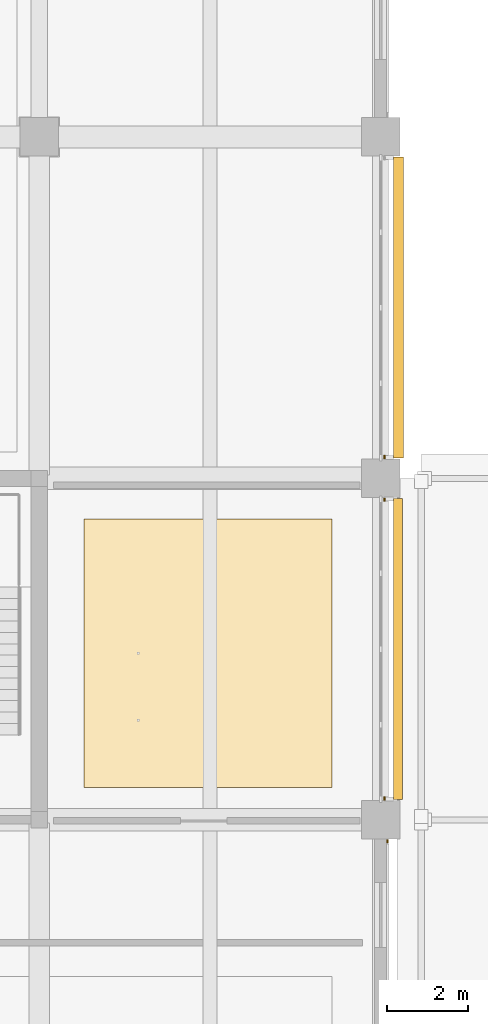
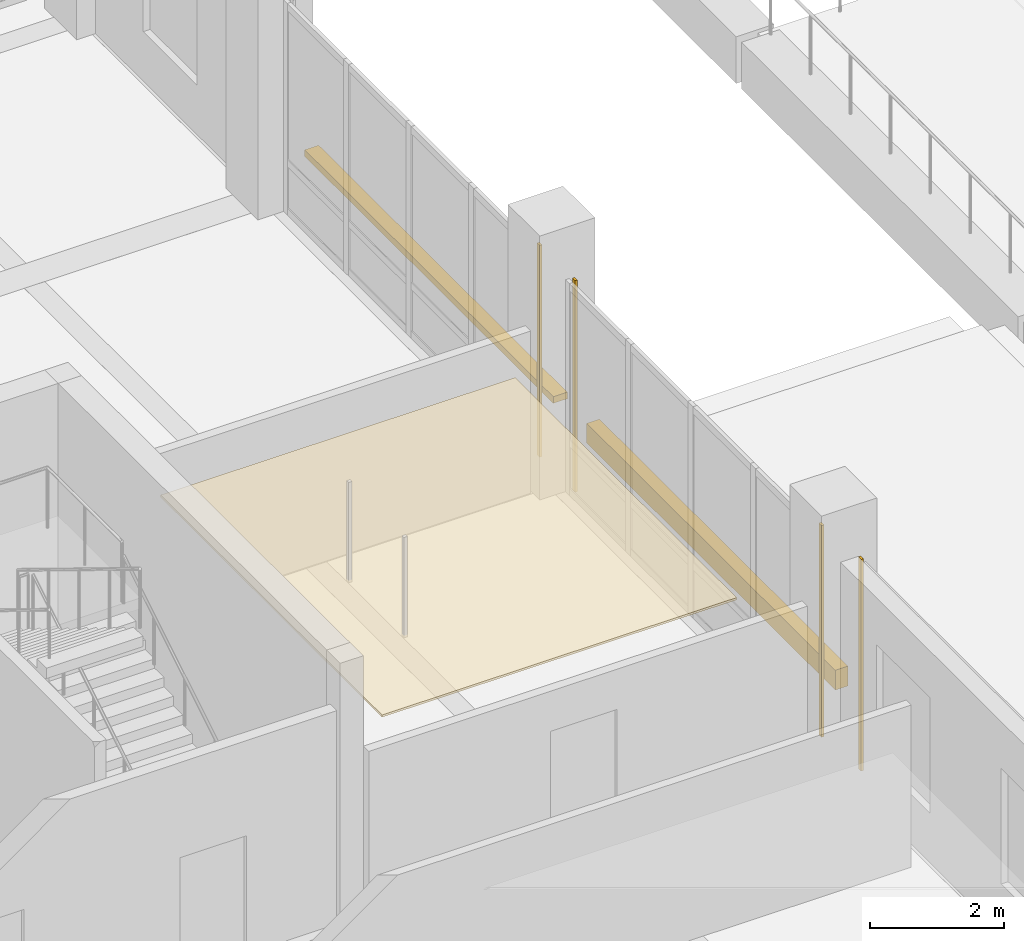
# One storey, part 112 of 128: 5 coverings, 2 shading devices.
"""IFC4 building model written with IfcOpenShell, lengths in metres."""

import ifcopenshell
import ifcopenshell.guid

model = None  # the IFC model being written
_history = None  # IfcOwnerHistory: only IFC2X3 demands one
_inside = {}  # id of a spatial element -> (the spatial element, [elements in it])
_under = {}  # id of a project, library or spatial element -> (it, [spatial elements below it])
_declared = {}  # id of a project -> (the project, [libraries it declares])
_typed = {}  # id of a type object -> (the type object, [elements of that type])
_made_of = {}  # id of a material, layer set ... -> (it, [elements and type objects made of it])


def new_model(schema):
    """Start an empty IFC model of exactly this schema.

    Asked for "IFC4X3", IfcOpenShell would pick the latest addendum, in which some entities
    have other attributes; the version numbers below select the first issue.
    IFC2X3 requires an IfcOwnerHistory on every rooted entity: one is made here for all.
    """
    global model, _history
    if schema == "IFC4X3":
        model = ifcopenshell.file(schema_version=(4, 3, 0, 0))
    else:
        model = ifcopenshell.file(schema=schema)
    _inside.clear()
    _under.clear()
    _declared.clear()
    _typed.clear()
    _made_of.clear()
    _history = None
    if model.schema == "IFC2X3":
        org = make("IfcOrganization", Name="unknown")
        user = make(
            "IfcPersonAndOrganization",
            ThePerson=make("IfcPerson", FamilyName="unknown"),
            TheOrganization=org,
        )
        app = make(
            "IfcApplication",
            ApplicationDeveloper=org,
            Version="unknown",
            ApplicationFullName="unknown",
            ApplicationIdentifier="unknown",
        )
        _history = make(
            "IfcOwnerHistory",
            OwningUser=user,
            OwningApplication=app,
            ChangeAction="ADDED",
            CreationDate=0,
        )
    return model


def make(cls, **values):
    """One entity of the class cls with the attributes given. An attribute that is None is left unset."""
    return model.create_entity(
        cls, **{name: value for name, value in values.items() if value is not None}
    )


def rooted(cls, **values):
    """An entity with a GlobalId (a new one), such as an element, a storey or a relation."""
    return make(cls, GlobalId=ifcopenshell.guid.new(), OwnerHistory=_history, **values)


def si_unit(unit_type, name, prefix=None):
    """IfcSIUnit, for example si_unit("LENGTHUNIT", "METRE", prefix="MILLI")."""
    return make("IfcSIUnit", UnitType=unit_type, Prefix=prefix, Name=name)


def assignment(units):
    """IfcUnitAssignment: the units of a project."""
    return None if units is None else make("IfcUnitAssignment", Units=units)


def point(xyz):
    """IfcCartesianPoint."""
    return None if xyz is None else make("IfcCartesianPoint", Coordinates=xyz)


def direction(xyz):
    """IfcDirection."""
    return None if xyz is None else make("IfcDirection", DirectionRatios=xyz)


def frame(location, z_axis=None, x_axis=None):
    """IfcAxis2Placement3D, a coordinate frame: its origin and axes. An axis left out is left unset."""
    return make(
        "IfcAxis2Placement3D",
        Location=point(location),
        Axis=direction(z_axis),
        RefDirection=direction(x_axis),
    )


def frame_2d(location, x_axis=None):
    """IfcAxis2Placement2D, a coordinate frame in the plane: its origin and x axis."""
    return make(
        "IfcAxis2Placement2D", Location=point(location), RefDirection=direction(x_axis)
    )


def origin():
    """The frame at (0, 0, 0) with its axes left unset."""
    return frame((0.0, 0.0, 0.0))


def origin_2d():
    """The frame at (0, 0) in the plane with its x axis left unset."""
    return frame_2d((0.0, 0.0))


def place(relative_to, where):
    """IfcLocalPlacement: puts the frame where relative to a parent placement (None: the world)."""
    return make(
        "IfcLocalPlacement", PlacementRelTo=relative_to, RelativePlacement=where
    )


def context(
    kind, dimensions, precision=None, world=None, true_north=None, identifier=None
):
    """IfcGeometricRepresentationContext, for example the 3D "Model" context."""
    return make(
        "IfcGeometricRepresentationContext",
        ContextIdentifier=identifier,
        ContextType=kind,
        CoordinateSpaceDimension=dimensions,
        Precision=precision,
        WorldCoordinateSystem=world,
        TrueNorth=true_north,
    )


def subcontext(parent, identifier, kind, view, scale=None):
    """IfcGeometricRepresentationSubContext, for example "Body" below "Model"."""
    return make(
        "IfcGeometricRepresentationSubContext",
        ContextIdentifier=identifier,
        ContextType=kind,
        ParentContext=parent,
        TargetScale=scale,
        TargetView=view,
    )


def project(units=None, contexts=None):
    """IfcProject with its units and contexts."""
    return rooted(
        "IfcProject",
        Name="project",
        RepresentationContexts=contexts,
        UnitsInContext=assignment(units),
    )


def spatial(cls, under=None, at=None, **own):
    """A site, building, storey or space (cls), placed at a placement, below another one or the project."""
    s = rooted(cls, ObjectPlacement=at, **own)
    if under is not None:
        _under.setdefault(under.id(), (under, []))[1].append(s)
    return s


def polyline(points):
    """IfcPolyline through the points."""
    return make("IfcPolyline", Points=[point(p) for p in points])


def profile(cls, at=None, kind="AREA", **sizes):
    """A parametric profile (cls). Its sizes go by their IFC names, for example OverallWidth=200.0."""
    return make(cls, ProfileType=kind, Position=at, **sizes)


def rectangle(**sizes):
    """IfcRectangleProfileDef."""
    return profile("IfcRectangleProfileDef", **sizes)


def outline(outer, holes=None, kind="AREA"):
    """IfcArbitraryClosedProfileDef: a profile drawn as a closed curve; with holes, ...WithVoids."""
    if holes is None:
        return make("IfcArbitraryClosedProfileDef", ProfileType=kind, OuterCurve=outer)
    return make(
        "IfcArbitraryProfileDefWithVoids",
        ProfileType=kind,
        OuterCurve=outer,
        InnerCurves=holes,
    )


def extrude(swept, where, along, depth):
    """IfcExtrudedAreaSolid: the profile swept, set in the frame where, extruded along a direction by depth."""
    return make(
        "IfcExtrudedAreaSolid",
        SweptArea=swept,
        Position=where,
        ExtrudedDirection=direction(along),
        Depth=depth,
    )


def shape(context_of_items, identifier, shape_type, items):
    """IfcShapeRepresentation: the items that make up one representation, for example the "Body"."""
    return make(
        "IfcShapeRepresentation",
        ContextOfItems=context_of_items,
        RepresentationIdentifier=identifier,
        RepresentationType=shape_type,
        Items=items,
    )


def material(Name=None, Category=None):
    """IfcMaterial."""
    return make("IfcMaterial", Name=Name, Category=Category)


def layer(
    of_material, thickness, ventilated=None, Name=None, Category=None, Priority=None
):
    """IfcMaterialLayer: one layer of a wall or slab, of a material (None: an air gap)."""
    return make(
        "IfcMaterialLayer",
        Material=of_material,
        LayerThickness=thickness,
        IsVentilated=ventilated,
        Name=Name,
        Category=Category,
        Priority=Priority,
    )


def layer_set(layers, Name=None):
    """IfcMaterialLayerSet."""
    return make("IfcMaterialLayerSet", MaterialLayers=layers, LayerSetName=Name)


def made_of(thing, what):
    """Note that an element or type object is made of a material, layer set ...; save() writes the relation."""
    if what is not None:
        _made_of.setdefault(what.id(), (what, []))[1].append(thing)
    return thing


def type_object(cls, material=None, **own):
    """A type object (cls), such as IfcWallType, which elements share."""
    return made_of(rooted(cls, **own), material)


def element(
    cls,
    number,
    at=None,
    inside=None,
    cuts=None,
    type_object=None,
    material=None,
    context=None,
    identifier="Body",
    shape_type=None,
    held_by="IfcProductDefinitionShape",
    body=None,
    shapes=None,
    **own,
):
    """One element of the class cls, such as IfcWall. Its Tag is "e" and its number.

    at: its placement. inside: the storey or other place that contains it. cuts: it is an
    opening in that element (IfcRelVoidsElement). A single representation is given by context,
    identifier, shape_type and body (its items); several are given by shapes. held_by: the class
    of the entity that holds the representations. save() writes the other relations.
    """
    e = rooted(cls, Tag="e%d" % number, ObjectPlacement=at, **own)
    if body is not None:
        shapes = [shape(context, identifier, shape_type, body)]
    if shapes is not None:
        e.Representation = make(held_by, Representations=shapes)
    if inside is not None:
        _inside.setdefault(inside.id(), (inside, []))[1].append(e)
    if cuts is not None:
        rooted(
            "IfcRelVoidsElement", RelatingBuildingElement=cuts, RelatedOpeningElement=e
        )
    if type_object is not None:
        _typed.setdefault(type_object.id(), (type_object, []))[1].append(e)
    return made_of(e, material)


def aggregate(whole, parts):
    """IfcRelAggregates: a whole, such as a stair, and the parts it consists of."""
    return rooted("IfcRelAggregates", RelatingObject=whole, RelatedObjects=parts)


def save(model, path):
    """Write the relations noted so far, then the file.

    IfcRelAggregates (storeys below a building ...), IfcRelContainedInSpatialStructure (elements
    in a storey), IfcRelDefinesByType, IfcRelAssociatesMaterial and IfcRelDeclares: one each for
    every whole, place, type object, material and project.
    """
    for whole, parts in _under.values():
        aggregate(whole, parts)
    for where, things in _inside.values():
        rooted(
            "IfcRelContainedInSpatialStructure",
            RelatedElements=things,
            RelatingStructure=where,
        )
    for kind, things in _typed.values():
        rooted("IfcRelDefinesByType", RelatedObjects=things, RelatingType=kind)
    for what, things in _made_of.values():
        rooted("IfcRelAssociatesMaterial", RelatedObjects=things, RelatingMaterial=what)
    for by, libraries in _declared.values():
        rooted("IfcRelDeclares", RelatingContext=by, RelatedDefinitions=libraries)
    model.write(path)


model = new_model("IFC4")

# Units and contexts
model_context = context("Model", 3, precision=1e-05, world=origin(), true_north=direction((0.0, 1.0)))
body_context = subcontext(model_context, "Body", "Model", "MODEL_VIEW")
ifc_project = project(units=[si_unit("LENGTHUNIT", "METRE"), si_unit("AREAUNIT", "SQUARE_METRE"), si_unit("VOLUMEUNIT", "CUBIC_METRE"), si_unit("PLANEANGLEUNIT", "RADIAN"), si_unit("MASSUNIT", "GRAM", prefix="KILO")], contexts=[model_context])

# Site, building, storey
site_placement = place(None, origin())
site = spatial("IfcSite", under=ifc_project, at=site_placement, CompositionType="ELEMENT")
building_placement = place(site_placement, origin())
building = spatial("IfcBuilding", under=site, at=building_placement, Name="Telukmera Botanical Conservatory", CompositionType="ELEMENT")
storey_placement = place(building_placement, frame((0.0, 0.0, 5.39990234375)))
storey = spatial("IfcBuildingStorey", under=building, at=storey_placement, Name="L01", CompositionType="ELEMENT", Elevation=5.39990234375)

# Coverings
ifc_material_1 = material(Name="Perforated gypsum acoustic ceiling")
ifc_layer_1 = layer(ifc_material_1, 0.0400390625)
ifc_layer_set_1 = layer_set([ifc_layer_1], Name="Perforated gypsum acoustic ceiling")
covering_type_1 = type_object("IfcCoveringType", Name="COV-CEIL-40", PredefinedType="CEILING", material=ifc_layer_set_1)
covering_placement = place(storey_placement, frame((0.0, 0.0, 2.760009765625)))
element("IfcCovering", 1, at=covering_placement, inside=storey, type_object=covering_type_1, Name="L01 Botanical Map Archive Studio Suspended Acoustic Ceiling", PredefinedType="CEILING", context=body_context, shape_type="SweptSolid", body=[
    extrude(outline(polyline([(101.89990234375, 26.800048828125), (108.0, 26.800048828125), (108.0, 33.39990234375), (101.89990234375, 33.39990234375), (101.89990234375, 26.800048828125)])), origin(), (0.0, 0.0, 1.0), 0.0400390625),
])
ifc_material_2 = material(Name="Granite-faced precast concrete C40/50", Category="masonry")
ifc_layer_2 = layer(ifc_material_2, 0.0400390625)
ifc_layer_set_2 = layer_set([ifc_layer_2], Name="Granite-faced precast concrete C40/50")
covering_type_2 = type_object("IfcCoveringType", Name="Granite Precast Column Pier Reveal Casing", PredefinedType="CLADDING", material=ifc_layer_set_2)
for number, where, z_axis, x_axis, name in (
    (2, (109.3701171875, 25.472900390625, 0.0), (0.0, 0.0, 1.0), (0.0, 1.0, 0.0), "Granite Pier Reveal V4:L01:E2 R"),
    (3, (109.300048828125, 26.527099609375, 0.0), (0.0, 0.0, 1.0), (0.0, 1.0, 0.0), "Granite Pier Reveal V4:L01:E3 L"),
    (4, (109.300048828125, 33.873046875, 0.0), (0.0, 0.0, 1.0), (0.0, 1.0, 0.0), "Granite Pier Reveal V4:L01:E3 R"),
    (5, (109.300048828125, 34.927001953125, 0.0), (0.0, 0.0, 1.0), (0.0, 1.0, 0.0), "Granite Pier Reveal V4:L01:E4 L"),
):
    element("IfcCovering", number, at=place(storey_placement, frame(where, z_axis=z_axis, x_axis=x_axis)), inside=storey, type_object=covering_type_2, Name=name, PredefinedType="CLADDING", context=body_context, shape_type="SweptSolid", body=[
        extrude(rectangle(XDim=0.080078125, YDim=0.0400390625, at=origin_2d()), origin(), (0.0, 0.0, 1.0), 3.85009765625),
    ])

# Shading devices
ifc_material_3 = material(Name="Perforated terracotta-anodised aluminium 6063-T6", Category="masonry")
ifc_layer_3 = layer(ifc_material_3, 0.050048828125)
ifc_layer_set_3 = layer_set([ifc_layer_3], Name="Perforated terracotta-anodised aluminium 6063-T6")
shading_device_type_1 = type_object("IfcShadingDeviceType", Name="Operable Monsoon Solar Louvre Shutter Bank", PredefinedType="SHUTTER", material=ifc_layer_set_3)
shading_device_1_placement = place(storey_placement, frame((109.6298828125, 30.199951171875, 0.77001953125), z_axis=(0.0, 0.0, 1.0), x_axis=(0.0, 1.0, 0.0)))
element("IfcShadingDevice", 6, at=shading_device_1_placement, inside=storey, type_object=shading_device_type_1, Name="Monsoon Shading SH01 V4:L01:E3", PredefinedType="SHUTTER", context=body_context, shape_type="SweptSolid", body=[
    extrude(rectangle(XDim=7.406005859375, YDim=0.219970703125, at=origin_2d()), origin(), (0.0, 0.0, 1.0), 0.360107421875),
])
ifc_layer_4 = layer(ifc_material_3, 0.044921875)
ifc_layer_set_4 = layer_set([ifc_layer_4], Name="Perforated terracotta-anodised aluminium 6063-T6")
shading_device_type_2 = type_object("IfcShadingDeviceType", Name="Perforated Terracotta Aluminium Monsoon Brise Soleil", PredefinedType="JALOUSIE", material=ifc_layer_set_4)
shading_device_2_placement = place(storey_placement, frame((109.639892578125, 38.60009765625, 0.89013671875), z_axis=(0.0, 0.0, 1.0), x_axis=(0.0, 1.0, 0.0)))
element("IfcShadingDevice", 7, at=shading_device_2_placement, inside=storey, type_object=shading_device_type_2, Name="Monsoon Shading BS01 V4:L01:E4", PredefinedType="JALOUSIE", context=body_context, shape_type="SweptSolid", body=[
    extrude(rectangle(XDim=7.406005859375, YDim=0.239990234375, at=origin_2d()), origin(), (0.0, 0.0, 1.0), 0.1201171875),
])

save(model, "model.ifc")
